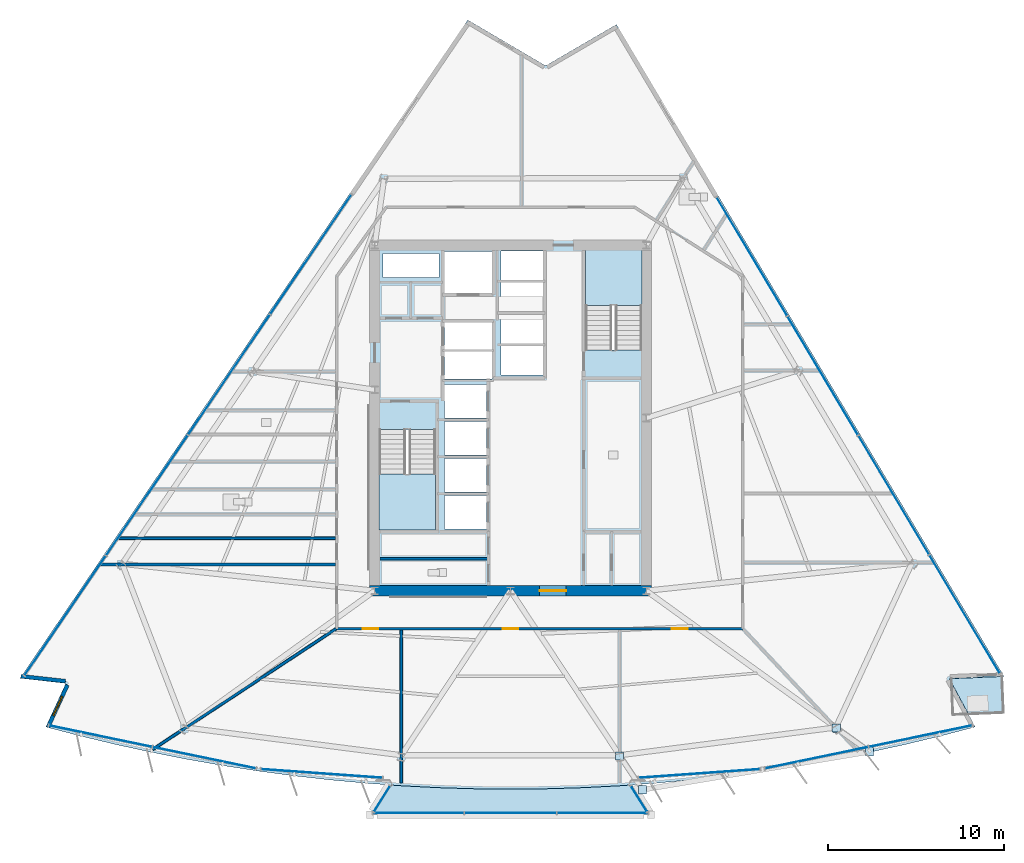
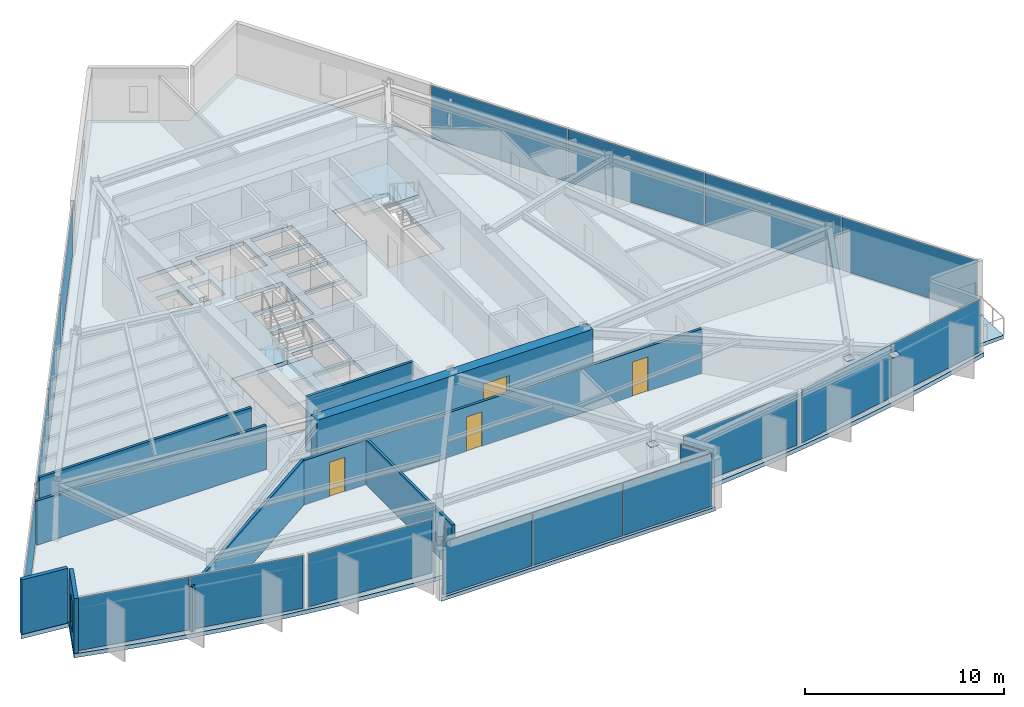
# One storey, part 7 of 15: 23 plates, 9 walls, 5 slabs, 4 doors, 1 window, 5 openings, 11 elements without a shape of their own.
"""IFC4 building model written with IfcOpenShell, lengths in metres."""

from ifc_helpers import new_model, si_unit, direction, frame, frame_2d, origin, origin_2d, place, context, subcontext, project, spatial, polyline, rectangle, outline, extrude, material, layer, layer_set, type_object, element, fill, aggregate, save


model = new_model("IFC4")

# Units and contexts
model_context = context("Model", 3, precision=1e-05, world=origin(), true_north=direction((0.0, 1.0)))
body_context = subcontext(model_context, "Body", "Model", "MODEL_VIEW")
ifc_project = project(units=[si_unit("LENGTHUNIT", "METRE"), si_unit("AREAUNIT", "SQUARE_METRE"), si_unit("VOLUMEUNIT", "CUBIC_METRE"), si_unit("PLANEANGLEUNIT", "RADIAN"), si_unit("MASSUNIT", "GRAM", prefix="KILO")], contexts=[model_context])

# Site, building, storey
site_placement = place(None, origin())
site = spatial("IfcSite", under=ifc_project, at=site_placement, CompositionType="ELEMENT")
building_placement = place(site_placement, origin())
building = spatial("IfcBuilding", under=site, at=building_placement, Name="Savorim Split Tower", CompositionType="ELEMENT")
storey_placement = place(building_placement, frame((0.0, 0.0, 118.5)))
storey = spatial("IfcBuildingStorey", under=building, at=storey_placement, Name="L31", CompositionType="ELEMENT", Elevation=118.5)

# Curtain wall, plates
ifc_material_1 = material(Name="Dark Ceramic-Fritted Insulated Glass", Category="glass")
curtain_wall_type_1 = type_object("IfcCurtainWallType", Name="CW-TWR-FRIT-A", PredefinedType="NOTDEFINED", material=ifc_material_1)
curtain_wall_1_placement = place(storey_placement, origin())
curtain_wall_1 = element("IfcCurtainWall", 1, at=curtain_wall_1_placement, inside=storey, type_object=curtain_wall_type_1, Name="L31 Curtain Wall CW-L31-SF1A", PredefinedType="NOTDEFINED")
ifc_layer_1 = layer(ifc_material_1, 0.028076171875)
ifc_layer_set_1 = layer_set([ifc_layer_1], Name="CWP-FRITA-28")
plate_type_1 = type_object("IfcPlateType", Name="CWP-FRITA-28", PredefinedType="CURTAIN_PANEL", material=ifc_layer_set_1)
plate_1_placement = place(storey_placement, frame((-23.2548828125, -17.645751953125, 0.05517578125), z_axis=(0.0, 0.0, 1.0), x_axis=(0.979133868491, -0.203216307351, 0.0)))
plate_1 = element("IfcPlate", 2, at=plate_1_placement, type_object=plate_type_1, Name="CW-02 panel 1.1", PredefinedType="CURTAIN_PANEL", context=body_context, shape_type="SweptSolid", body=[
    extrude(rectangle(XDim=5.952880859375, YDim=0.028076171875, at=origin_2d()), origin(), (0.0, 0.0, 1.0), 3.239990234375),
])
plate_2_placement = place(storey_placement, frame((-17.362548828125, -18.86865234375, 0.05517578125), z_axis=(0.0, 0.0, 1.0), x_axis=(0.979133868491, -0.203216307351, 0.0)))
plate_2 = element("IfcPlate", 3, at=plate_2_placement, type_object=plate_type_1, Name="CW-02 panel 2.1", PredefinedType="CURTAIN_PANEL", context=body_context, shape_type="SweptSolid", body=[
    extrude(rectangle(XDim=5.952880859375, YDim=0.028076171875, at=origin_2d()), origin(), (0.0, 0.0, 1.0), 3.239990234375),
])
aggregate(curtain_wall_1, [plate_1, plate_2])

# Curtain wall, plate
curtain_wall_2_placement = place(storey_placement, origin())
curtain_wall_2 = element("IfcCurtainWall", 4, at=curtain_wall_2_placement, inside=storey, type_object=curtain_wall_type_1, Name="L31 Curtain Wall CW-L31-SF2A", PredefinedType="NOTDEFINED")
plate_3_placement = place(storey_placement, frame((-10.7119140625, -19.762451171875, 0.05517578125), z_axis=(0.0, 0.0, 1.0), x_axis=(0.997437115176, -0.071548593758, 0.0)))
plate_3 = element("IfcPlate", 5, at=plate_3_placement, type_object=plate_type_1, Name="CW-02 panel 1.1", PredefinedType="CURTAIN_PANEL", context=body_context, shape_type="SweptSolid", body=[
    extrude(rectangle(XDim=6.869384765625, YDim=0.028076171875, at=origin_2d()), origin(), (0.0, 0.0, 1.0), 3.239990234375),
])
aggregate(curtain_wall_2, [plate_3])

curtain_wall_3_placement = place(storey_placement, origin())
curtain_wall_3 = element("IfcCurtainWall", 6, at=curtain_wall_3_placement, inside=storey, type_object=curtain_wall_type_1, Name="L31 Curtain Wall CW-L31-SF3A", PredefinedType="NOTDEFINED")
plate_4_placement = place(storey_placement, frame((10.7119140625, -19.762451171875, 0.05517578125), z_axis=(0.0, 0.0, 1.0), x_axis=(0.997437115176, 0.071548593758, 0.0)))
plate_4 = element("IfcPlate", 7, at=plate_4_placement, type_object=plate_type_1, Name="CW-02 panel 1.1", PredefinedType="CURTAIN_PANEL", context=body_context, shape_type="SweptSolid", body=[
    extrude(rectangle(XDim=6.869384765625, YDim=0.028076171875, at=origin_2d()), origin(), (0.0, 0.0, 1.0), 3.239990234375),
])
aggregate(curtain_wall_3, [plate_4])

# Curtain wall, plates
curtain_wall_4_placement = place(storey_placement, origin())
curtain_wall_4 = element("IfcCurtainWall", 8, at=curtain_wall_4_placement, inside=storey, type_object=curtain_wall_type_1, Name="L31 Curtain Wall CW-L31-SF4A", PredefinedType="NOTDEFINED")
plate_5_placement = place(storey_placement, frame((17.362548828125, -18.86865234375, 0.05517578125), z_axis=(0.0, 0.0, 1.0), x_axis=(0.979133868491, 0.203216307351, 0.0)))
plate_5 = element("IfcPlate", 9, at=plate_5_placement, type_object=plate_type_1, Name="CW-02 panel 1.1", PredefinedType="CURTAIN_PANEL", context=body_context, shape_type="SweptSolid", body=[
    extrude(rectangle(XDim=5.952880859375, YDim=0.028076171875, at=origin_2d()), origin(), (0.0, 0.0, 1.0), 3.239990234375),
])
plate_6_placement = place(storey_placement, frame((23.2548828125, -17.645751953125, 0.05517578125), z_axis=(0.0, 0.0, 1.0), x_axis=(0.979133868491, 0.203216307351, 0.0)))
plate_6 = element("IfcPlate", 10, at=plate_6_placement, type_object=plate_type_1, Name="CW-02 panel 2.1", PredefinedType="CURTAIN_PANEL", context=body_context, shape_type="SweptSolid", body=[
    extrude(rectangle(XDim=5.952880859375, YDim=0.028076171875, at=origin_2d()), origin(), (0.0, 0.0, 1.0), 3.239990234375),
])
aggregate(curtain_wall_4, [plate_5, plate_6])

curtain_wall_5_placement = place(storey_placement, origin())
curtain_wall_5 = element("IfcCurtainWall", 11, at=curtain_wall_5_placement, inside=storey, type_object=curtain_wall_type_1, Name="L31 Curtain Wall CW-L31-EAST", PredefinedType="NOTDEFINED")
plate_7_placement = place(storey_placement, frame((25.752197265625, -10.72705078125, 0.05517578125), z_axis=(0.0, 0.0, 1.0), x_axis=(-0.51109301502, 0.859525409745, 0.0)))
plate_7 = element("IfcPlate", 12, at=plate_7_placement, type_object=plate_type_1, Name="CW-02 panel 1.1", PredefinedType="CURTAIN_PANEL", context=body_context, shape_type="SweptSolid", body=[
    extrude(rectangle(XDim=7.777587890625, YDim=0.028076171875, at=origin_2d()), origin(), (0.0, 0.0, 1.0), 3.239990234375),
])
plate_8_placement = place(storey_placement, frame((21.735595703125, -3.972412109375, 0.05517578125), z_axis=(0.0, 0.0, 1.0), x_axis=(-0.51109301502, 0.859525409745, 0.0)))
plate_8 = element("IfcPlate", 13, at=plate_8_placement, type_object=plate_type_1, Name="CW-02 panel 2.1", PredefinedType="CURTAIN_PANEL", context=body_context, shape_type="SweptSolid", body=[
    extrude(rectangle(XDim=7.81005859375, YDim=0.028076171875, at=origin_2d()), origin(), (0.0, 0.0, 1.0), 3.239990234375),
])
plate_9_placement = place(storey_placement, frame((17.710693359375, 2.79638671875, 0.05517578125), z_axis=(0.0, 0.0, 1.0), x_axis=(-0.51109301502, 0.859525409745, 0.0)))
plate_9 = element("IfcPlate", 14, at=plate_9_placement, type_object=plate_type_1, Name="CW-02 panel 3.1", PredefinedType="CURTAIN_PANEL", context=body_context, shape_type="SweptSolid", body=[
    extrude(rectangle(XDim=7.81005859375, YDim=0.028076171875, at=origin_2d()), origin(), (0.0, 0.0, 1.0), 3.239990234375),
])
plate_10_placement = place(storey_placement, frame((13.6943359375, 9.55126953125, 0.05517578125), z_axis=(0.0, 0.0, 1.0), x_axis=(-0.51109301502, 0.859525409745, 0.0)))
plate_10 = element("IfcPlate", 15, at=plate_10_placement, type_object=plate_type_1, Name="CW-02 panel 4.1", PredefinedType="CURTAIN_PANEL", context=body_context, shape_type="SweptSolid", body=[
    extrude(rectangle(XDim=7.777587890625, YDim=0.028076171875, at=origin_2d()), origin(), (0.0, 0.0, 1.0), 3.239990234375),
])
aggregate(curtain_wall_5, [plate_7, plate_8, plate_9, plate_10])

curtain_wall_6_placement = place(storey_placement, origin())
curtain_wall_6 = element("IfcCurtainWall", 16, at=curtain_wall_6_placement, inside=storey, type_object=curtain_wall_type_1, Name="L31 Curtain Wall CW-L31-WEST", PredefinedType="NOTDEFINED")
plate_11_placement = place(storey_placement, frame((-11.3193359375, 9.67529296875, 0.05517578125), z_axis=(0.0, 0.0, 1.0), x_axis=(-0.562466669628, -0.826819959579, 0.0)))
plate_11 = element("IfcPlate", 17, at=plate_11_placement, type_object=plate_type_1, Name="CW-02 panel 1.1", PredefinedType="CURTAIN_PANEL", context=body_context, shape_type="SweptSolid", body=[
    extrude(rectangle(XDim=8.174072265625, YDim=0.028076171875, at=origin_2d()), origin(), (0.0, 0.0, 1.0), 3.239990234375),
])
plate_12_placement = place(storey_placement, frame((-15.962646484375, 2.849609375, 0.05517578125), z_axis=(0.0, 0.0, 1.0), x_axis=(-0.562466669628, -0.826819959579, 0.0)))
plate_12 = element("IfcPlate", 18, at=plate_12_placement, type_object=plate_type_1, Name="CW-02 panel 2.1", PredefinedType="CURTAIN_PANEL", context=body_context, shape_type="SweptSolid", body=[
    extrude(rectangle(XDim=8.20654296875, YDim=0.028076171875, at=origin_2d()), origin(), (0.0, 0.0, 1.0), 3.239990234375),
])
plate_13_placement = place(storey_placement, frame((-20.615234375, -3.989501953125, 0.05517578125), z_axis=(0.0, 0.0, 1.0), x_axis=(-0.562466669628, -0.826819959579, 0.0)))
plate_13 = element("IfcPlate", 19, at=plate_13_placement, type_object=plate_type_1, Name="CW-02 panel 3.1", PredefinedType="CURTAIN_PANEL", context=body_context, shape_type="SweptSolid", body=[
    extrude(rectangle(XDim=8.20654296875, YDim=0.028076171875, at=origin_2d()), origin(), (0.0, 0.0, 1.0), 3.239990234375),
])
plate_14_placement = place(storey_placement, frame((-25.258544921875, -10.815185546875, 0.05517578125), z_axis=(0.0, 0.0, 1.0), x_axis=(-0.562466669628, -0.826819959579, 0.0)))
plate_14 = element("IfcPlate", 20, at=plate_14_placement, type_object=plate_type_1, Name="CW-02 panel 4.1", PredefinedType="CURTAIN_PANEL", context=body_context, shape_type="SweptSolid", body=[
    extrude(rectangle(XDim=8.174072265625, YDim=0.028076171875, at=origin_2d()), origin(), (0.0, 0.0, 1.0), 3.239990234375),
])
aggregate(curtain_wall_6, [plate_11, plate_12, plate_13, plate_14])

curtain_wall_type_2 = type_object("IfcCurtainWallType", Name="CW-BAY-LOUNGE", PredefinedType="NOTDEFINED", material=ifc_material_1)
curtain_wall_7_placement = place(storey_placement, origin())
curtain_wall_7 = element("IfcCurtainWall", 21, at=curtain_wall_7_placement, inside=storey, type_object=curtain_wall_type_2, Name="L31 Curtain Wall CW-L31-BAYF", PredefinedType="NOTDEFINED")
ifc_material_2 = material(Name="Low-E Operable Double Glazing", Category="glass")
ifc_layer_2 = layer(ifc_material_2, 0.031982421875)
ifc_layer_set_2 = layer_set([ifc_layer_2], Name="CWP-POD-32")
plate_type_2 = type_object("IfcPlateType", Name="CWP-POD-32", PredefinedType="CURTAIN_PANEL", material=ifc_layer_set_2)
plate_15_placement = place(storey_placement, frame((-5.215087890625, -21.99951171875, 0.05517578125), z_axis=(0.0, 0.0, 1.0), x_axis=(1.0, 0.0, 0.0)))
plate_15 = element("IfcPlate", 22, at=plate_15_placement, type_object=plate_type_2, Name="CW-04 panel 1.1", PredefinedType="CURTAIN_PANEL", context=body_context, shape_type="SweptSolid", body=[
    extrude(rectangle(XDim=5.1337890625, YDim=0.031982421875, at=origin_2d()), origin(), (0.0, 0.0, 1.0), 3.239990234375),
])
plate_16_placement = place(storey_placement, frame((0.0, -21.99951171875, 0.05517578125), z_axis=(0.0, 0.0, 1.0), x_axis=(1.0, 0.0, 0.0)))
plate_16 = element("IfcPlate", 23, at=plate_16_placement, type_object=plate_type_2, Name="CW-04 panel 2.1", PredefinedType="CURTAIN_PANEL", context=body_context, shape_type="SweptSolid", body=[
    extrude(rectangle(XDim=5.166259765625, YDim=0.031982421875, at=origin_2d()), origin(), (0.0, 0.0, 1.0), 3.239990234375),
])
plate_17_placement = place(storey_placement, frame((5.215087890625, -21.99951171875, 0.05517578125), z_axis=(0.0, 0.0, 1.0), x_axis=(1.0, 0.0, 0.0)))
plate_17 = element("IfcPlate", 24, at=plate_17_placement, type_object=plate_type_2, Name="CW-04 panel 3.1", PredefinedType="CURTAIN_PANEL", context=body_context, shape_type="SweptSolid", body=[
    extrude(rectangle(XDim=5.1337890625, YDim=0.031982421875, at=origin_2d()), origin(), (0.0, 0.0, 1.0), 3.239990234375),
])
aggregate(curtain_wall_7, [plate_15, plate_16, plate_17])

# Curtain wall, plate
curtain_wall_8_placement = place(storey_placement, origin())
curtain_wall_8 = element("IfcCurtainWall", 25, at=curtain_wall_8_placement, inside=storey, type_object=curtain_wall_type_2, Name="L31 Curtain Wall CW-L31-BAYW", PredefinedType="NOTDEFINED")
plate_18_placement = place(storey_placement, frame((-7.28564453125, -21.20166015625, 0.05517578125), z_axis=(0.0, 0.0, 1.0), x_axis=(-0.531384496432, -0.847130755522, 0.0)))
plate_18 = element("IfcPlate", 26, at=plate_18_placement, type_object=plate_type_2, Name="CW-04 panel 1.1", PredefinedType="CURTAIN_PANEL", context=body_context, shape_type="SweptSolid", body=[
    extrude(rectangle(XDim=1.705078125, YDim=0.031982421875, at=origin_2d()), origin(), (0.0, 0.0, 1.0), 3.239990234375),
])
aggregate(curtain_wall_8, [plate_18])

curtain_wall_9_placement = place(storey_placement, origin())
curtain_wall_9 = element("IfcCurtainWall", 27, at=curtain_wall_9_placement, inside=storey, type_object=curtain_wall_type_2, Name="L31 Curtain Wall CW-L31-BAYE", PredefinedType="NOTDEFINED")
plate_19_placement = place(storey_placement, frame((7.28564453125, -21.20166015625, 0.05517578125), z_axis=(0.0, 0.0, 1.0), x_axis=(-0.531384496432, 0.847130755522, 0.0)))
plate_19 = element("IfcPlate", 28, at=plate_19_placement, type_object=plate_type_2, Name="CW-04 panel 1.1", PredefinedType="CURTAIN_PANEL", context=body_context, shape_type="SweptSolid", body=[
    extrude(rectangle(XDim=1.705078125, YDim=0.031982421875, at=origin_2d()), origin(), (0.0, 0.0, 1.0), 3.239990234375),
])
aggregate(curtain_wall_9, [plate_19])

# Plates
ifc_material_3 = material(Name="Steel S460", Category="steel")
ifc_layer_3 = layer(ifc_material_3, 0.02490234375)
ifc_layer_set_3 = layer_set([ifc_layer_3], Name="PLT-NODE-CN1")
plate_type_3 = type_object("IfcPlateType", Name="PLT-NODE-CN1", PredefinedType="SHEET", material=ifc_layer_set_3)
for number, where, z_axis, x_axis, name in (
    (29, (6.1923828125, -18.768798828125, 2.4375), (0.0, 0.0, 1.0), (1.0, 0.0, 0.0), "L31 Bay Strut Column Gusset Plate 1"),
    (30, (7.483154296875, -20.68701171875, 2.8076171875), (0.0, 0.0, 1.0), (1.0, 0.0, 0.0), "L31 Bay Strut Tip Gusset Plate 1"),
    (31, (18.4765625, -17.191650390625, 2.4375), (0.0, 0.0, 1.0), (1.0, 0.0, 0.0), "L31 Bay Strut Column Gusset Plate 2"),
    (32, (20.359130859375, -18.527587890625, 2.8076171875), (0.0, 0.0, 1.0), (1.0, 0.0, 0.0), "L31 Bay Strut Tip Gusset Plate 2"),
):
    element("IfcPlate", number, at=place(storey_placement, frame(where, z_axis=z_axis, x_axis=x_axis)), inside=storey, type_object=plate_type_3, Name=name, PredefinedType="SHEET", context=body_context, shape_type="SweptSolid", body=[
        extrude(rectangle(XDim=0.4599609375, YDim=0.4599609375, at=origin_2d()), origin(), (0.0, 0.0, 1.0), 0.02490234375),
    ])

# Slabs
ifc_material_4 = material(Name="Concrete C50/60", Category="concrete")
ifc_layer_4 = layer(ifc_material_4, 0.219970703125)
ifc_layer_set_4 = layer_set([ifc_layer_4], Name="SLB-BAL-220")
slab_type_1 = type_object("IfcSlabType", Name="SLB-BAL-220", PredefinedType="FLOOR", material=ifc_layer_set_4)
slab_1_placement = place(storey_placement, frame((0.0, 0.0, -0.219970703125)))
element("IfcSlab", 33, at=slab_1_placement, inside=storey, type_object=slab_type_1, Name="L31 Cantilevered Shared Kitchen Lounge Slab", PredefinedType="FLOOR", context=body_context, shape_type="SweptSolid", body=[
    extrude(outline(polyline([(6.906005859375, -20.408203125), (6.150390625, -20.46240234375), (4.101806640625, -20.5673828125), (2.05126953125, -20.630126953125), (0.0, -20.651123046875), (-2.05126953125, -20.630126953125), (-4.101806640625, -20.5673828125), (-6.150390625, -20.46240234375), (-6.906005859375, -20.408203125), (-7.967041015625, -22.099609375), (7.967041015625, -22.099609375), (6.906005859375, -20.408203125)])), origin(), (0.0, 0.0, 1.0), 0.219970703125),
])
slab_2_placement = place(storey_placement, frame((0.0, 0.0, -0.219970703125)))
element("IfcSlab", 34, at=slab_2_placement, inside=storey, type_object=slab_type_1, Name="L31 Notched Corner Planted Tree Balcony Slab", PredefinedType="FLOOR", context=body_context, shape_type="SweptSolid", body=[
    extrude(outline(polyline([(27.868896484375, -14.263427734375), (25.00537109375, -14.38525390625), (25.01513671875, -14.616943359375), (25.96728515625, -16.39111328125), (27.955810546875, -16.306396484375), (27.868896484375, -14.263427734375)])), origin(), (0.0, 0.0, 1.0), 0.219970703125),
])

# Stair, slab
stair_type = type_object("IfcStairType", Name="STR-DOG-3600", PredefinedType="HALF_TURN_STAIR", material=ifc_material_4)
stair_1_placement = place(storey_placement, origin())
stair_1 = element("IfcStair", 35, at=stair_1_placement, inside=storey, type_object=stair_type, Name="L31 Core Protected Exit Stair ST-1", PredefinedType="HALF_TURN_STAIR")
ifc_layer_5 = layer(ifc_material_4, 0.199951171875)
ifc_layer_set_5 = layer_set([ifc_layer_5], Name="SLB-LND-200")
slab_type_2 = type_object("IfcSlabType", Name="SLB-LND-200", PredefinedType="LANDING", material=ifc_layer_set_5)
slab_3_placement = place(storey_placement, frame((0.0, 0.0, 1.60009765625)))
slab_3 = element("IfcSlab", 36, at=slab_3_placement, type_object=slab_type_2, Name="ST-1 landing 1", PredefinedType="LANDING", context=body_context, shape_type="SweptSolid", body=[
    extrude(outline(polyline([(-7.449951171875, -2.77001953125), (-7.449951171875, -5.949951171875), (-4.25, -5.949951171875), (-4.25, -2.77001953125), (-7.449951171875, -2.77001953125)])), origin(), (0.0, 0.0, 1.0), 0.199951171875),
])
aggregate(stair_1, [slab_3])

stair_2_placement = place(storey_placement, origin())
stair_2 = element("IfcStair", 37, at=stair_2_placement, inside=storey, type_object=stair_type, Name="L31 Core Protected Exit Stair ST-2", PredefinedType="HALF_TURN_STAIR")
slab_4_placement = place(storey_placement, frame((0.0, 0.0, 1.60009765625)))
slab_4 = element("IfcSlab", 38, at=slab_4_placement, type_object=slab_type_2, Name="ST-2 landing 1", PredefinedType="LANDING", context=body_context, shape_type="SweptSolid", body=[
    extrude(outline(polyline([(7.449951171875, 6.77001953125), (7.449951171875, 9.949951171875), (4.25, 9.949951171875), (4.25, 6.77001953125), (7.449951171875, 6.77001953125)])), origin(), (0.0, 0.0, 1.0), 0.199951171875),
])
aggregate(stair_2, [slab_4])

# Slab
ifc_layer_6 = layer(ifc_material_4, 0.25)
ifc_layer_set_6 = layer_set([ifc_layer_6], Name="SLB-TWR-250")
slab_type_3 = type_object("IfcSlabType", Name="SLB-TWR-250", PredefinedType="FLOOR", material=ifc_layer_set_6)
slab_5_placement = place(storey_placement, frame((0.0, 0.0, -0.25)))
element("IfcSlab", 39, at=slab_5_placement, inside=storey, type_object=slab_type_3, Name="L31 Structural Floor Slab", PredefinedType="FLOOR", context=body_context, shape_type="SweptSolid", body=[
    extrude(outline(polyline([(-26.355224609375, -17.124755859375), (-24.37060546875, -17.643798828125), (-22.375732421875, -18.1220703125), (-20.37158203125, -18.5595703125), (-18.358642578125, -18.955810546875), (-16.33837890625, -19.310791015625), (-14.31103515625, -19.62451171875), (-12.277587890625, -19.896484375), (-10.2392578125, -20.126953125), (-8.196533203125, -20.315673828125), (-6.150390625, -20.46240234375), (-4.101806640625, -20.5673828125), (-2.05126953125, -20.630126953125), (0.0, -20.651123046875), (2.05126953125, -20.630126953125), (4.101806640625, -20.5673828125), (6.150390625, -20.46240234375), (8.196533203125, -20.315673828125), (10.2392578125, -20.126953125), (12.277587890625, -19.896484375), (14.31103515625, -19.62451171875), (16.33837890625, -19.310791015625), (18.358642578125, -18.955810546875), (20.37158203125, -18.5595703125), (22.375732421875, -18.1220703125), (24.37060546875, -17.643798828125), (26.355224609375, -17.124755859375), (24.88525390625, -14.38525390625), (27.988525390625, -14.25341796875), (6.0078125, 22.712890625), (1.9951171875, 20.374267578125), (-2.420654296875, 22.969482421875), (-27.81689453125, -14.362548828125), (-25.21923828125, -14.652587890625), (-26.355224609375, -17.124755859375)]), holes=[polyline([(-7.449951171875, -0.25390625), (-7.449951171875, -5.949951171875), (-4.25, -5.949951171875), (-4.25, -0.25390625), (-7.449951171875, -0.25390625)]), polyline([(7.449951171875, 4.25390625), (7.449951171875, 9.949951171875), (4.25, 9.949951171875), (4.25, 4.25390625), (7.449951171875, 4.25390625)]), polyline([(-3.75, -5.89990234375), (-1.35009765625, -5.89990234375), (-1.35009765625, -4.0), (-3.75, -4.0), (-3.75, -5.89990234375)]), polyline([(-3.75, -3.800048828125), (-1.35009765625, -3.800048828125), (-1.35009765625, -1.89990234375), (-3.75, -1.89990234375), (-3.75, -3.800048828125)]), polyline([(-3.75, -1.699951171875), (-1.35009765625, -1.699951171875), (-1.35009765625, 0.199951171875), (-3.75, 0.199951171875), (-3.75, -1.699951171875)]), polyline([(-3.75, 0.39990234375), (-1.35009765625, 0.39990234375), (-1.35009765625, 2.300048828125), (-3.75, 2.300048828125), (-3.75, 0.39990234375)]), polyline([(-0.550048828125, 2.830078125), (1.85009765625, 2.830078125), (1.85009765625, 4.469970703125), (-0.550048828125, 4.469970703125), (-0.550048828125, 2.830078125)]), polyline([(-0.550048828125, 4.6298828125), (1.85009765625, 4.6298828125), (1.85009765625, 6.27001953125), (-0.550048828125, 6.27001953125), (-0.550048828125, 4.6298828125)]), polyline([(-0.550048828125, 6.429931640625), (1.85009765625, 6.429931640625), (1.85009765625, 8.070068359375), (-0.550048828125, 8.070068359375), (-0.550048828125, 6.429931640625)]), polyline([(-0.550048828125, 8.22998046875), (1.85009765625, 8.22998046875), (1.85009765625, 9.8701171875), (-0.550048828125, 9.8701171875), (-0.550048828125, 8.22998046875)]), polyline([(-3.75, 2.60009765625), (-1.050048828125, 2.60009765625), (-1.050048828125, 4.159912109375), (-3.75, 4.159912109375), (-3.75, 2.60009765625)]), polyline([(-3.75, 4.280029296875), (-1.050048828125, 4.280029296875), (-1.050048828125, 5.840087890625), (-3.75, 5.840087890625), (-3.75, 4.280029296875)]), polyline([(-3.75, 7.449951171875), (-0.949951171875, 7.449951171875), (-0.949951171875, 9.85009765625), (-3.75, 9.85009765625), (-3.75, 7.449951171875)]), polyline([(-7.219970703125, 6.320068359375), (-5.919921875, 6.320068359375), (-5.919921875, 7.820068359375), (-7.219970703125, 7.820068359375), (-7.219970703125, 6.320068359375)]), polyline([(-5.3798828125, 6.320068359375), (-4.050048828125, 6.320068359375), (-4.050048828125, 7.820068359375), (-5.3798828125, 7.820068359375), (-5.3798828125, 6.320068359375)]), polyline([(-7.219970703125, 8.360107421875), (-4.050048828125, 8.360107421875), (-4.050048828125, 9.719970703125), (-7.219970703125, 9.719970703125), (-7.219970703125, 8.360107421875)])]), origin(), (0.0, 0.0, 1.0), 0.25),
])

# Wall, opening, door
ifc_material_5 = material(Name="Concrete C60/75", Category="concrete")
ifc_layer_7 = layer(ifc_material_5, 0.60009765625)
ifc_layer_set_7 = layer_set([ifc_layer_7], Name="WAL-COR-SH600")
wall_type_1 = type_object("IfcWallType", Name="WAL-COR-SH600", PredefinedType="SHEAR", material=ifc_layer_set_7)
wall_1_placement = place(storey_placement, frame((-8.0, -9.39990234375, 0.0), z_axis=(0.0, 0.0, 1.0), x_axis=(1.0, 0.0, 0.0)))
wall_1 = element("IfcWall", 40, at=wall_1_placement, inside=storey, type_object=wall_type_1, Name="L31 Offset Core South Shear Wall", PredefinedType="SHEAR", context=body_context, shape_type="SweptSolid", body=[
    extrude(rectangle(XDim=16.0, YDim=0.60009765625, at=frame_2d((8.0, 0.0))), origin(), (0.0, 0.0, 1.0), 3.35009765625),
])
opening_1_placement = place(wall_1_placement, frame((9.64990234375, 0.0, 0.0)))
opening_1 = element("IfcOpeningElement", 41, at=opening_1_placement, cuts=wall_1, Name="Opening DI-02", PredefinedType="OPENING", context=body_context, shape_type="SweptSolid", body=[
    extrude(rectangle(XDim=1.5, YDim=2.199951171875, at=frame_2d((0.75, 1.10009765625))), frame((0.0, 0.31005859375, 0.0), z_axis=(0.0, -1.0, 0.0), x_axis=(1.0, 0.0, 0.0)), (0.0, 0.0, 1.0), 0.6201171875),
])
ifc_material_6 = material(Name="Timber Fire Door Leaf", Category="wood")
door_type_1 = type_object("IfcDoorType", Name="DOR-DBL-1500", OperationType="NOTDEFINED", PredefinedType="DOOR", material=ifc_material_6)
door_1_placement = place(opening_1_placement, origin())
door_1 = element("IfcDoor", 42, at=door_1_placement, inside=storey, type_object=door_type_1, Name="DOR-L31-COR-LLOB - L31 Lift Lobby Main Rated Door", OperationType="DOUBLE_DOOR_SINGLE_SWING", OverallHeight=2.199951171875, OverallWidth=1.5, PredefinedType="DOOR", context=body_context, shape_type="SweptSolid", body=[
    extrude(rectangle(XDim=1.5, YDim=2.199951171875, at=frame_2d((0.75, 1.10009765625))), frame((0.0, 0.02490234375, 0.0), z_axis=(0.0, -1.0, 0.0), x_axis=(1.0, 0.0, 0.0)), (0.0, 0.0, 1.0), 0.050048828125),
])
fill(opening_1, door_1)

# Wall
ifc_material_7 = material(Name="Precast concrete C40/50", Category="concrete")
ifc_layer_8 = layer(ifc_material_7, 0.219970703125)
ifc_layer_set_8 = layer_set([ifc_layer_8], Name="WAL-EXT-CRN220")
wall_type_2 = type_object("IfcWallType", Name="WAL-EXT-CRN220", PredefinedType="SOLIDWALL", material=ifc_layer_set_8)
wall_2_placement = place(storey_placement, frame((-25.24560546875, -14.52880859375, 0.0), z_axis=(0.0, 0.0, 1.0), x_axis=(-0.993831926713, 0.110896805395, 0.0)))
element("IfcWall", 43, at=wall_2_placement, inside=storey, type_object=wall_type_2, Name="L31 Notched Corner Facade Wall SW1", PredefinedType="SOLIDWALL", context=body_context, shape_type="SweptSolid", body=[
    extrude(rectangle(XDim=2.533935546875, YDim=0.219970703125, at=frame_2d((1.26708984375, 0.0))), origin(), (0.0, 0.0, 1.0), 3.35009765625),
])

# Wall, opening, window
wall_3_placement = place(storey_placement, frame((-26.2294921875, -17.138671875, 0.0), z_axis=(0.0, 0.0, 1.0), x_axis=(0.417498108462, 0.908677791866, 0.0)))
wall_3 = element("IfcWall", 44, at=wall_3_placement, inside=storey, type_object=wall_type_2, Name="L31 Notched Corner Facade Wall SW", PredefinedType="SOLIDWALL", context=body_context, shape_type="SweptSolid", body=[
    extrude(rectangle(XDim=2.640869140625, YDim=0.219970703125, at=frame_2d((1.3203125, 0.0))), origin(), (0.0, 0.0, 1.0), 3.35009765625),
])
opening_2_placement = place(wall_3_placement, frame((0.720458984375, 0.0, 0.6201171875)))
opening_2 = element("IfcOpeningElement", 45, at=opening_2_placement, cuts=wall_3, Name="Opening WN-08", PredefinedType="OPENING", context=body_context, shape_type="SweptSolid", body=[
    extrude(rectangle(XDim=1.199951171875, YDim=1.800048828125, at=frame_2d((0.60009765625, 0.89990234375))), frame((0.0, 0.119873046875, 0.0), z_axis=(0.0, -1.0, 0.0), x_axis=(1.0, 0.0, 0.0)), (0.0, 0.0, 1.0), 0.239990234375),
])
window_type = type_object("IfcWindowType", Name="WIN-TWR-1200x1800", PartitioningType="SINGLE_PANEL", PredefinedType="WINDOW", material=ifc_material_2)
window_placement = place(opening_2_placement, origin())
window = element("IfcWindow", 46, at=window_placement, inside=storey, type_object=window_type, Name="L31 Operable Corner Window SW", OverallHeight=1.800048828125, OverallWidth=1.199951171875, PartitioningType="SINGLE_PANEL", PredefinedType="WINDOW", context=body_context, shape_type="SweptSolid", body=[
    extrude(rectangle(XDim=1.199951171875, YDim=1.800048828125, at=frame_2d((0.60009765625, 0.89990234375))), frame((0.0, 0.030029296875, 0.0), z_axis=(0.0, -1.0, 0.0), x_axis=(1.0, 0.0, 0.0)), (0.0, 0.0, 1.0), 0.06005859375),
])
fill(opening_2, window)

# Wall
ifc_material_8 = material(Name="Acoustic Gypsum Partition Board")
ifc_layer_9 = layer(ifc_material_8, 0.14990234375)
ifc_layer_set_9 = layer_set([ifc_layer_9], Name="WAL-PAR-150")
wall_type_3 = type_object("IfcWallType", Name="WAL-PAR-150", PredefinedType="PARTITIONING", material=ifc_layer_set_9)
wall_4_placement = place(storey_placement, frame((-7.39501953125, -7.580078125, 0.0), z_axis=(0.0, 0.0, 1.0), x_axis=(1.0, 0.0, 0.0)))
element("IfcWall", 47, at=wall_4_placement, inside=storey, type_object=wall_type_3, Name="L31 Partition W-L31-K2H", PredefinedType="PARTITIONING", context=body_context, shape_type="SweptSolid", body=[
    extrude(rectangle(XDim=6.14501953125, YDim=0.14990234375, at=frame_2d((3.072509765625, 0.0))), origin(), (0.0, 0.0, 1.0), 3.35009765625),
])

# Wall, openings, doors
wall_5_placement = place(storey_placement, frame((13.179931640625, -11.56005859375, 0.0), z_axis=(0.0, 0.0, 1.0), x_axis=(-1.0, 0.0, 0.0)))
wall_5 = element("IfcWall", 48, at=wall_5_placement, inside=storey, type_object=wall_type_3, Name="L31 Partition W-L31-COR-06", PredefinedType="PARTITIONING", context=body_context, shape_type="SweptSolid", body=[
    extrude(rectangle(XDim=23.0400390625, YDim=0.14990234375, at=frame_2d((11.52001953125, 0.0))), origin(), (0.0, 0.0, 1.0), 2.72509765625),
])
opening_3_placement = place(wall_5_placement, frame((20.669189453125, 0.0, 0.0)))
opening_3 = element("IfcOpeningElement", 49, at=opening_3_placement, cuts=wall_5, Name="Opening DI-06", PredefinedType="OPENING", context=body_context, shape_type="SweptSolid", body=[
    extrude(rectangle(XDim=0.89990234375, YDim=2.10009765625, at=frame_2d((0.449951171875, 1.050048828125))), frame((0.0, 0.0849609375, 0.0), z_axis=(0.0, -1.0, 0.0), x_axis=(1.0, 0.0, 0.0)), (0.0, 0.0, 1.0), 0.169921875),
])
opening_4_placement = place(wall_5_placement, frame((12.72998046875, 0.0, 0.0)))
opening_4 = element("IfcOpeningElement", 50, at=opening_4_placement, cuts=wall_5, Name="Opening DI-06", PredefinedType="OPENING", context=body_context, shape_type="SweptSolid", body=[
    extrude(rectangle(XDim=0.89990234375, YDim=2.10009765625, at=frame_2d((0.449951171875, 1.050048828125))), frame((0.0, 0.0849609375, 0.0), z_axis=(0.0, -1.0, 0.0), x_axis=(1.0, 0.0, 0.0)), (0.0, 0.0, 1.0), 0.169921875),
])
opening_5_placement = place(wall_5_placement, frame((3.130615234375, 0.0, 0.0)))
opening_5 = element("IfcOpeningElement", 51, at=opening_5_placement, cuts=wall_5, Name="Opening DI-06", PredefinedType="OPENING", context=body_context, shape_type="SweptSolid", body=[
    extrude(rectangle(XDim=0.89990234375, YDim=2.10009765625, at=frame_2d((0.449951171875, 1.050048828125))), frame((0.0, 0.0849609375, 0.0), z_axis=(0.0, -1.0, 0.0), x_axis=(1.0, 0.0, 0.0)), (0.0, 0.0, 1.0), 0.169921875),
])
door_type_2 = type_object("IfcDoorType", Name="DOR-FIR-900", OperationType="NOTDEFINED", PredefinedType="DOOR", material=ifc_material_6)
door_2_placement = place(opening_3_placement, origin())
door_2 = element("IfcDoor", 52, at=door_2_placement, inside=storey, type_object=door_type_2, Name="DR-L31-RM08 - L31 Maker Workshop Entry Door", OperationType="SINGLE_SWING_LEFT", OverallHeight=2.10009765625, OverallWidth=0.89990234375, PredefinedType="DOOR", context=body_context, shape_type="SweptSolid", body=[
    extrude(rectangle(XDim=0.89990234375, YDim=2.10009765625, at=frame_2d((0.449951171875, 1.050048828125))), frame((0.0, 0.02490234375, 0.0), z_axis=(0.0, -1.0, 0.0), x_axis=(1.0, 0.0, 0.0)), (0.0, 0.0, 1.0), 0.050048828125),
])
fill(opening_3, door_2)
door_3_placement = place(opening_4_placement, origin())
door_3 = element("IfcDoor", 53, at=door_3_placement, inside=storey, type_object=door_type_2, Name="DR-L31-RM09 - L31 Maker Workshop Entry Door", OperationType="SINGLE_SWING_RIGHT", OverallHeight=2.10009765625, OverallWidth=0.89990234375, PredefinedType="DOOR", context=body_context, shape_type="SweptSolid", body=[
    extrude(rectangle(XDim=0.89990234375, YDim=2.10009765625, at=frame_2d((0.449951171875, 1.050048828125))), frame((0.0, 0.02490234375, 0.0), z_axis=(0.0, -1.0, 0.0), x_axis=(1.0, 0.0, 0.0)), (0.0, 0.0, 1.0), 0.050048828125),
])
fill(opening_4, door_3)
door_4_placement = place(opening_5_placement, origin())
door_4 = element("IfcDoor", 54, at=door_4_placement, inside=storey, type_object=door_type_2, Name="DR-L31-RM10 - L31 Maker Workshop Entry Door", OperationType="SINGLE_SWING_LEFT", OverallHeight=2.10009765625, OverallWidth=0.89990234375, PredefinedType="DOOR", context=body_context, shape_type="SweptSolid", body=[
    extrude(rectangle(XDim=0.89990234375, YDim=2.10009765625, at=frame_2d((0.449951171875, 1.050048828125))), frame((0.0, 0.02490234375, 0.0), z_axis=(0.0, -1.0, 0.0), x_axis=(1.0, 0.0, 0.0)), (0.0, 0.0, 1.0), 0.050048828125),
])
fill(opening_5, door_4)

# Walls
wall_6_placement = place(storey_placement, frame((-9.896240234375, -11.5576171875, 0.0), z_axis=(0.0, 0.0, 1.0), x_axis=(-0.835324414442, -0.54975733068, 0.0)))
element("IfcWall", 55, at=wall_6_placement, inside=storey, type_object=wall_type_3, Name="L31 Partition W-L31-PRAD01", PredefinedType="PARTITIONING", context=body_context, shape_type="SweptSolid", body=[
    extrude(rectangle(XDim=12.44873046875, YDim=0.14990234375, at=frame_2d((6.224365234375, 0.0))), origin(), (0.0, 0.0, 1.0), 2.77490234375),
])
wall_7_placement = place(storey_placement, frame((-6.197021484375, -11.6201171875, 0.0), z_axis=(0.0, 0.0, 1.0), x_axis=(0.0, -1.0, 0.0)))
element("IfcWall", 56, at=wall_7_placement, inside=storey, type_object=wall_type_3, Name="L31 Partition W-L31-PRAD02", PredefinedType="PARTITIONING", context=body_context, shape_type="SweptSolid", body=[
    extrude(rectangle(XDim=8.66845703125, YDim=0.14990234375, at=frame_2d((4.334228515625, 0.0))), origin(), (0.0, 0.0, 1.0), 2.77490234375),
])
wall_8_placement = place(storey_placement, frame((-9.919921875, -7.90869140625, 0.0), z_axis=(0.0, 0.0, 1.0), x_axis=(-1.0, 0.0, 0.0)))
element("IfcWall", 57, at=wall_8_placement, inside=storey, type_object=wall_type_3, Name="L31 Partition W-L31-PRAD10", PredefinedType="PARTITIONING", context=body_context, shape_type="SweptSolid", body=[
    extrude(rectangle(XDim=13.30078125, YDim=0.14990234375, at=frame_2d((6.650390625, 0.0))), origin(), (0.0, 0.0, 1.0), 2.705078125),
])
wall_9_placement = place(storey_placement, frame((-9.919921875, -6.41455078125, 0.0), z_axis=(0.0, 0.0, 1.0), x_axis=(-1.0, 0.0, 0.0)))
element("IfcWall", 58, at=wall_9_placement, inside=storey, type_object=wall_type_3, Name="L31 Partition W-L31-SUB10", PredefinedType="PARTITIONING", context=body_context, shape_type="SweptSolid", body=[
    extrude(rectangle(XDim=12.284423828125, YDim=0.14990234375, at=frame_2d((6.14208984375, 0.0))), origin(), (0.0, 0.0, 1.0), 2.885009765625),
])

save(model, "model.ifc")
